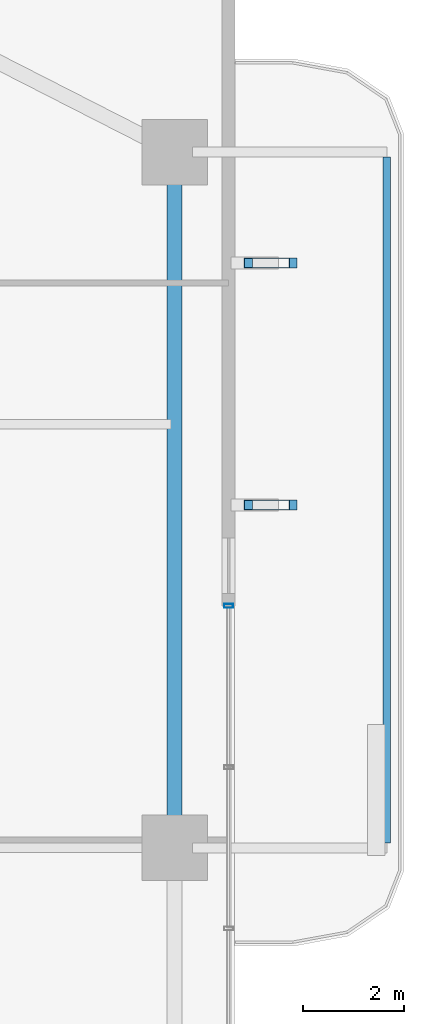
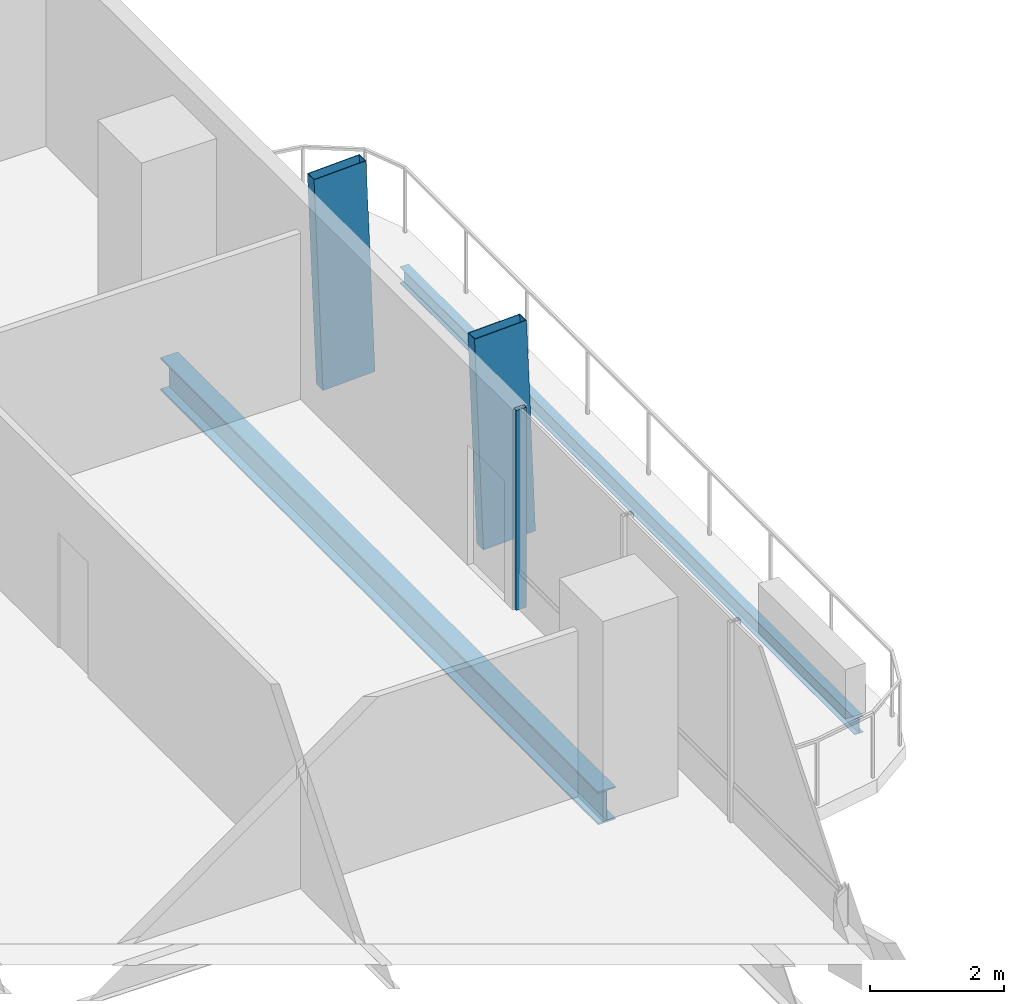
# One storey, part 13 of 24: 3 members, 2 beams, 1 element without a shape of its own.
"""IFC4 building model written with IfcOpenShell, lengths in metres."""

from ifc_helpers import new_model, si_unit, direction, frame, origin, origin_2d, place, context, subcontext, project, spatial, hollow_rectangle, i_section, extrude, material, layer, layer_set, material_profile, profile_set, type_object, element, aggregate, save


model = new_model("IFC4")

# Units and contexts
model_context = context("Model", 3, precision=1e-05, world=origin(), true_north=direction((0.0, 1.0)))
body_context = subcontext(model_context, "Body", "Model", "MODEL_VIEW")
ifc_project = project(units=[si_unit("LENGTHUNIT", "METRE"), si_unit("AREAUNIT", "SQUARE_METRE"), si_unit("VOLUMEUNIT", "CUBIC_METRE"), si_unit("PLANEANGLEUNIT", "RADIAN"), si_unit("MASSUNIT", "GRAM", prefix="KILO")], contexts=[model_context])

# Site, building, storey
site_placement = place(None, origin())
site = spatial("IfcSite", under=ifc_project, at=site_placement, CompositionType="ELEMENT")
building_placement = place(site_placement, origin())
building = spatial("IfcBuilding", under=site, at=building_placement, Name="Belovzor Exchange Tower", CompositionType="ELEMENT")
storey_placement = place(building_placement, frame((0.0, 0.0, 121.199951171875)))
storey = spatial("IfcBuildingStorey", under=building, at=storey_placement, Name="L29", CompositionType="ELEMENT", Elevation=121.199951171875)

# Beam
ifc_material_1 = material(Name="Steel S355", Category="steel")
ifc_material_profile_1 = material_profile(ifc_material_1, i_section(OverallWidth=0.14990234375, OverallDepth=0.300048828125, WebThickness=0.007080078125, FlangeThickness=0.0107421875, at=origin_2d()))
ifc_profile_set_1 = profile_set([ifc_material_profile_1], Name="Steel S355")
beam_type_1 = type_object("IfcBeamType", Name="Planted Balcony Fascia Edge Beam IPE 300", PredefinedType="BEAM", material=ifc_profile_set_1)
beam_1_placement = place(storey_placement, frame((57.907958984375, 28.89990234375, -0.39990234375), z_axis=(0.0, 1.0, 0.0), x_axis=(-1.0, 0.0, 0.0)))
element("IfcBeam", 1, at=beam_1_placement, inside=storey, type_object=beam_type_1, Name="BC-300 Planted Balcony Fascia Edge Beam IPE 300", PredefinedType="BEAM", context=body_context, shape_type="SweptSolid", body=[
    extrude(i_section(OverallWidth=0.14990234375, OverallDepth=0.300048828125, WebThickness=0.007080078125, FlangeThickness=0.0107421875, at=origin_2d()), origin(), (0.0, 0.0, 1.0), 13.60009765625),
])

# Members
ifc_material_2 = material(Name="Extruded Architectural Terracotta on Steel S355 Carrier", Category="masonry")
ifc_material_profile_2 = material_profile(ifc_material_2, hollow_rectangle(XDim=0.199951171875, YDim=0.89990234375, WallThickness=0.011962890625, at=origin_2d()))
ifc_profile_set_2 = profile_set([ifc_material_profile_2], Name="Extruded Architectural Terracotta on Steel S355 Carrier")
member_type_1 = type_object("IfcMemberType", Name="Sweeping Terracotta Baguette Fin Assembly 1250", PredefinedType="USERDEFINED", material=ifc_profile_set_2)
for number, where, z_axis, x_axis, name in (
    (2, (55.68310546875, 35.60009765625, -0.25), (-0.039718243113, 0.0, 0.999210919258), (0.0, -1.0, 0.0), "FIN-TC125 Terracotta Facade Fin L29 E3"),
    (3, (55.68310546875, 40.39990234375, -0.25), (-0.039718243113, 0.0, 0.999210919258), (0.0, -1.0, 0.0), "FIN-TC125 Terracotta Facade Fin L29 E4"),
):
    element("IfcMember", number, at=place(storey_placement, frame(where, z_axis=z_axis, x_axis=x_axis)), inside=storey, type_object=member_type_1, Name=name, ObjectType="FIN", PredefinedType="USERDEFINED", context=body_context, shape_type="SweptSolid", body=[
        extrude(hollow_rectangle(XDim=0.199951171875, YDim=0.89990234375, WallThickness=0.011962890625, at=origin_2d()), origin(), (0.0, 0.0, 1.0), 3.9033203125),
    ])

# Curtain wall, member
ifc_material_3 = material(Name="Anodised Aluminium Framing", Category="aluminium")
ifc_layer = layer(ifc_material_3, 0.179931640625)
ifc_layer_set = layer_set([ifc_layer], Name="Anodised Aluminium Framing")
curtain_wall_type = type_object("IfcCurtainWallType", Name="Recessed Loggia Low-Iron Triple-Glazed Curtain Wall", PredefinedType="NOTDEFINED", material=ifc_layer_set)
curtain_wall_placement = place(storey_placement, origin())
curtain_wall = element("IfcCurtainWall", 4, at=curtain_wall_placement, inside=storey, type_object=curtain_wall_type, Name="CW3 Recessed Loggia Low-Iron Triple-Glazed Curtain Wall L29", PredefinedType="NOTDEFINED")
ifc_material_4 = material(Name="Steel S355", Category="steel")
ifc_material_profile_3 = material_profile(ifc_material_4, hollow_rectangle(XDim=0.074951171875, YDim=0.179931640625, WallThickness=0.0048828125, at=origin_2d()))
ifc_profile_set_3 = profile_set([ifc_material_profile_3], Name="Steel S355")
member_type_2 = type_object("IfcMemberType", Name="Thermally Broken Curtain Wall Mullion 180x75", PredefinedType="MULLION", material=ifc_profile_set_3)
member_placement = place(storey_placement, frame((54.77001953125, 33.60009765625, 0.0), z_axis=(0.0, 0.0, 1.0), x_axis=(0.0, -1.0, 0.0)))
member = element("IfcMember", 5, at=member_placement, type_object=member_type_2, Name="CW-M180 Curtain Wall Mullion 1", PredefinedType="MULLION", context=body_context, shape_type="SweptSolid", body=[
    extrude(hollow_rectangle(XDim=0.074951171875, YDim=0.179931640625, WallThickness=0.0048828125, at=origin_2d()), origin(), (0.0, 0.0, 1.0), 3.650146484375),
])
aggregate(curtain_wall, [member])

# Beam
ifc_material_5 = material(Name="Steel S355", Category="steel")
ifc_material_profile_4 = material_profile(ifc_material_5, i_section(OverallWidth=0.300048828125, OverallDepth=0.60009765625, WebThickness=0.015380859375, FlangeThickness=0.030029296875, at=origin_2d()))
ifc_profile_set_4 = profile_set([ifc_material_profile_4], Name="Steel S355")
beam_type_2 = type_object("IfcBeamType", Name="Zone 2 Primary Perimeter Girder HEB 600", PredefinedType="BEAM", material=ifc_profile_set_4)
beam_2_placement = place(storey_placement, frame((53.699951171875, 29.157958984375, -0.550048828125), z_axis=(0.0, 1.0, 0.0), x_axis=(-1.0, 0.0, 0.0)))
element("IfcBeam", 6, at=beam_2_placement, inside=storey, type_object=beam_type_2, Name="FG-Z2 Zone 2 Primary Perimeter Girder HEB 600", PredefinedType="BEAM", context=body_context, shape_type="SweptSolid", body=[
    extrude(i_section(OverallWidth=0.300048828125, OverallDepth=0.60009765625, WebThickness=0.015380859375, FlangeThickness=0.030029296875, at=origin_2d()), origin(), (0.0, 0.0, 1.0), 13.083984375),
])

save(model, "model.ifc")
